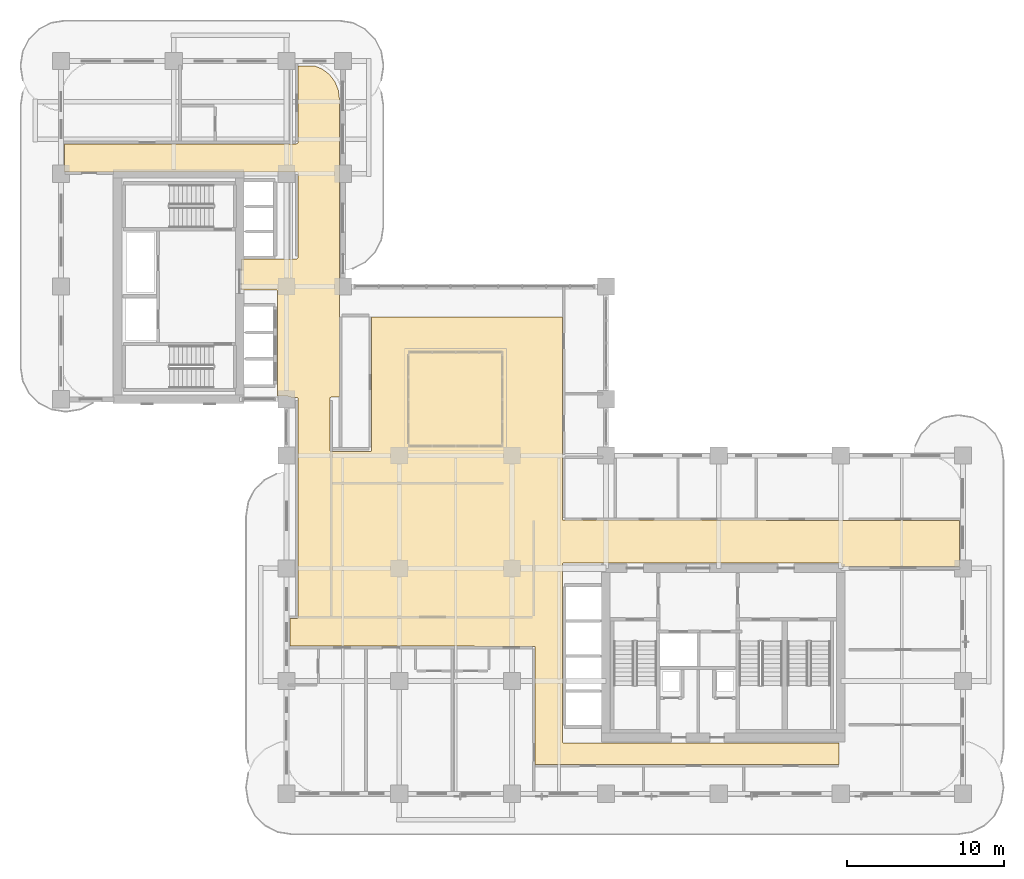
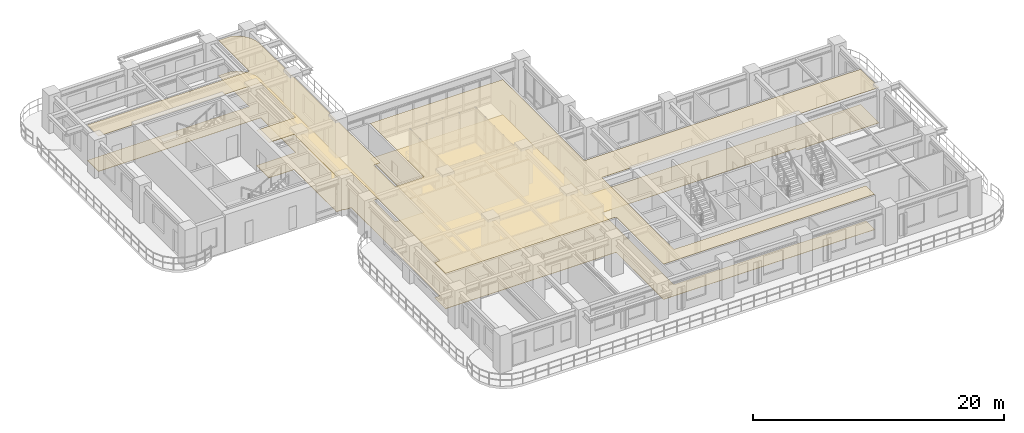
# One storey, part 19 of 22: 2 coverings.
"""IFC4 building model written with IfcOpenShell, lengths in metres."""

from ifc_helpers import new_model, si_unit, derived_unit, direction, frame, origin, place, context, subcontext, project, spatial, polyline, outline, extrude, material, layer, layer_set, type_object, element, save


model = new_model("IFC4")

# Units and contexts
model_context = context("Model", 3, precision=1e-05, world=origin(), true_north=direction((0.0, 1.0)))
body_context = subcontext(model_context, "Body", "Model", "MODEL_VIEW")
ifc_project = project(units=[si_unit("LENGTHUNIT", "METRE"), si_unit("AREAUNIT", "SQUARE_METRE"), si_unit("VOLUMEUNIT", "CUBIC_METRE"), si_unit("PLANEANGLEUNIT", "RADIAN"), si_unit("MASSUNIT", "GRAM", prefix="KILO"), si_unit("THERMODYNAMICTEMPERATUREUNIT", "KELVIN"), si_unit("POWERUNIT", "WATT"), derived_unit("THERMALTRANSMITTANCEUNIT", [(si_unit("POWERUNIT", "WATT"), 1), (si_unit("AREAUNIT", "SQUARE_METRE"), -1), (si_unit("THERMODYNAMICTEMPERATUREUNIT", "KELVIN"), -1)])], contexts=[model_context])

# Site, building, storey
site_placement = place(None, origin())
site = spatial("IfcSite", under=ifc_project, at=site_placement, CompositionType="ELEMENT")
building_placement = place(site_placement, origin())
building = spatial("IfcBuilding", under=site, at=building_placement, Name="Zahravan Archway Hotel and Residences", CompositionType="ELEMENT")
storey_placement = place(building_placement, frame((0.0, 0.0, 76.800048828125)))
storey = spatial("IfcBuildingStorey", under=building, at=storey_placement, Name="L18", CompositionType="ELEMENT", Elevation=76.800048828125)

# Coverings
ifc_material_1 = material(Name="Perforated Acoustic Gypsum Ceiling")
ifc_layer_1 = layer(ifc_material_1, 0.02490234375, Name="Perforated Acoustic Gypsum Ceiling")
ifc_layer_set_1 = layer_set([ifc_layer_1], Name="Perforated Acoustic Gypsum Ceiling")
covering_type_1 = type_object("IfcCoveringType", Name="COV-CEIL-ACST", PredefinedType="CEILING", material=ifc_layer_set_1)
covering_1_placement = place(storey_placement, frame((0.0, 0.0, 3.425048828125)))
element("IfcCovering", 1, at=covering_1_placement, inside=storey, type_object=covering_type_1, Name="L18 Acoustic Corridor Ceiling", PredefinedType="CEILING", context=body_context, shape_type="SweptSolid", body=[
    extrude(outline(polyline([(30.280029296875, 1.8798828125), (30.280029296875, 9.35009765625), (30.2666015625, 9.394287109375), (30.230712890625, 9.423828125), (14.6201171875, 9.429931640625), (14.6201171875, 11.18994140625), (15.050048828125, 11.18994140625), (15.094482421875, 11.20361328125), (15.123779296875, 11.239501953125), (15.1298828125, 25.25), (15.116455078125, 25.29443359375), (15.08056640625, 25.323974609375), (14.5771484375, 25.330078125), (14.53955078125, 25.3701171875), (14.503662109375, 25.39404296875), (14.4638671875, 25.410400390625), (14.421630859375, 25.4189453125), (13.830078125, 25.419921875), (13.830078125, 32.10009765625), (13.81640625, 32.144287109375), (13.780517578125, 32.173828125), (11.530029296875, 32.179931640625), (11.530029296875, 34.169921875), (15.050048828125, 34.169921875), (15.094482421875, 34.18359375), (15.123779296875, 34.219482421875), (15.1298828125, 39.64990234375), (15.116455078125, 39.6943359375), (15.08056640625, 39.723876953125), (0.22998046875, 39.72998046875), (0.22998046875, 41.52001953125), (15.050048828125, 41.52001953125), (15.094482421875, 41.533447265625), (15.123779296875, 41.5693359375), (15.1298828125, 46.469970703125), (16.24560546875, 46.469970703125), (16.689208984375, 46.286376953125), (17.14013671875, 45.940185546875), (17.486328125, 45.489013671875), (17.703857421875, 44.9638671875), (17.77001953125, 44.46142578125), (17.77001953125, 25.330078125), (17.25, 25.330078125), (17.20556640625, 25.31640625), (17.176025390625, 25.280517578125), (17.169921875, 21.949951171875), (17.18359375, 21.905517578125), (17.219482421875, 21.876220703125), (19.75, 21.8701171875), (19.79443359375, 21.883544921875), (19.823974609375, 21.91943359375), (19.830078125, 30.469970703125), (32.02001953125, 30.469970703125), (32.02001953125, 17.550048828125), (32.033447265625, 17.505615234375), (32.0693359375, 17.47607421875), (57.3798828125, 17.469970703125), (57.3798828125, 14.530029296875), (49.830078125, 14.530029296875), (49.830078125, 14.675048828125), (49.81640625, 14.719482421875), (49.780517578125, 14.748779296875), (32.10009765625, 14.7548828125), (32.0556640625, 14.741455078125), (32.026123046875, 14.70556640625), (32.02001953125, 3.324951171875), (32.033447265625, 3.280517578125), (32.0693359375, 3.251220703125), (49.669921875, 3.2451171875), (49.669921875, 1.8798828125), (30.280029296875, 1.8798828125)])), origin(), (0.0, 0.0, 1.0), 0.02490234375),
])
ifc_material_2 = material(Name="Honed Margalla Limestone & Mortar Bed", Category="masonry")
ifc_layer_2 = layer(ifc_material_2, 0.030029296875, Name="Honed Margalla Limestone & Mortar Bed", Category="masonry")
ifc_layer_set_2 = layer_set([ifc_layer_2], Name="Honed Margalla Limestone & Mortar Bed")
covering_type_2 = type_object("IfcCoveringType", Name="COV-FLR-STONE", PredefinedType="FLOORING", material=ifc_layer_set_2)
covering_2_placement = place(storey_placement, origin())
element("IfcCovering", 2, at=covering_2_placement, inside=storey, type_object=covering_type_2, Name="L18 Circulation Floor Finish", PredefinedType="FLOORING", context=body_context, shape_type="SweptSolid", body=[
    extrude(outline(polyline([(30.280029296875, 1.8798828125), (30.280029296875, 9.35009765625), (30.2666015625, 9.394287109375), (30.230712890625, 9.423828125), (14.6201171875, 9.429931640625), (14.6201171875, 11.18994140625), (15.050048828125, 11.18994140625), (15.094482421875, 11.20361328125), (15.123779296875, 11.239501953125), (15.1298828125, 25.25), (15.116455078125, 25.29443359375), (15.08056640625, 25.323974609375), (14.5771484375, 25.330078125), (14.53955078125, 25.3701171875), (14.503662109375, 25.39404296875), (14.4638671875, 25.410400390625), (14.421630859375, 25.4189453125), (13.830078125, 25.419921875), (13.830078125, 32.10009765625), (13.81640625, 32.144287109375), (13.780517578125, 32.173828125), (11.530029296875, 32.179931640625), (11.530029296875, 34.169921875), (15.050048828125, 34.169921875), (15.094482421875, 34.18359375), (15.123779296875, 34.219482421875), (15.1298828125, 39.64990234375), (15.116455078125, 39.6943359375), (15.08056640625, 39.723876953125), (0.22998046875, 39.72998046875), (0.22998046875, 41.52001953125), (15.050048828125, 41.52001953125), (15.094482421875, 41.533447265625), (15.123779296875, 41.5693359375), (15.1298828125, 46.469970703125), (16.24560546875, 46.469970703125), (16.689208984375, 46.286376953125), (17.14013671875, 45.940185546875), (17.486328125, 45.489013671875), (17.703857421875, 44.9638671875), (17.77001953125, 44.46142578125), (17.77001953125, 25.330078125), (17.25, 25.330078125), (17.20556640625, 25.31640625), (17.176025390625, 25.280517578125), (17.169921875, 21.949951171875), (17.18359375, 21.905517578125), (17.219482421875, 21.876220703125), (19.75, 21.8701171875), (19.79443359375, 21.883544921875), (19.823974609375, 21.91943359375), (19.830078125, 30.469970703125), (32.02001953125, 30.469970703125), (32.02001953125, 17.550048828125), (32.033447265625, 17.505615234375), (32.0693359375, 17.47607421875), (57.3798828125, 17.469970703125), (57.3798828125, 14.530029296875), (49.830078125, 14.530029296875), (49.830078125, 14.675048828125), (49.81640625, 14.719482421875), (49.780517578125, 14.748779296875), (32.10009765625, 14.7548828125), (32.0556640625, 14.741455078125), (32.026123046875, 14.70556640625), (32.02001953125, 3.324951171875), (32.033447265625, 3.280517578125), (32.0693359375, 3.251220703125), (49.669921875, 3.2451171875), (49.669921875, 1.8798828125), (30.280029296875, 1.8798828125)])), origin(), (0.0, 0.0, 1.0), 0.030029296875),
])

save(model, "model.ifc")
